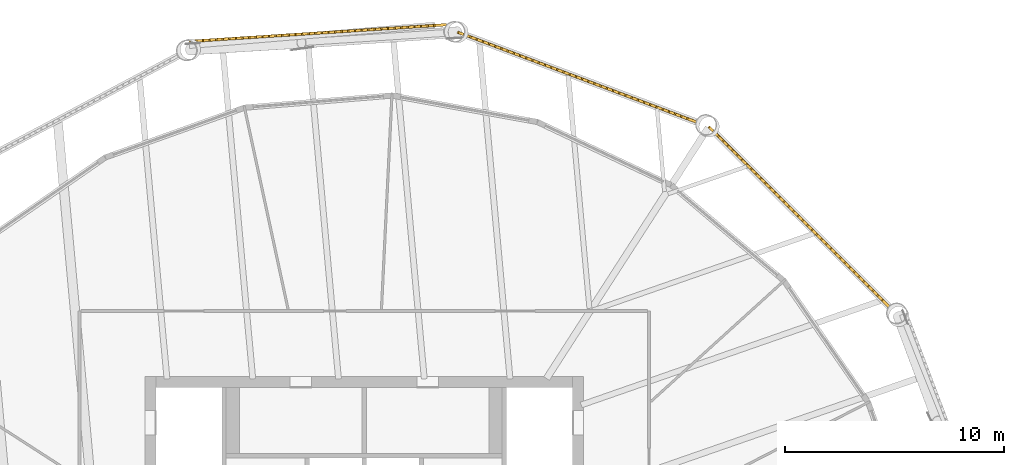
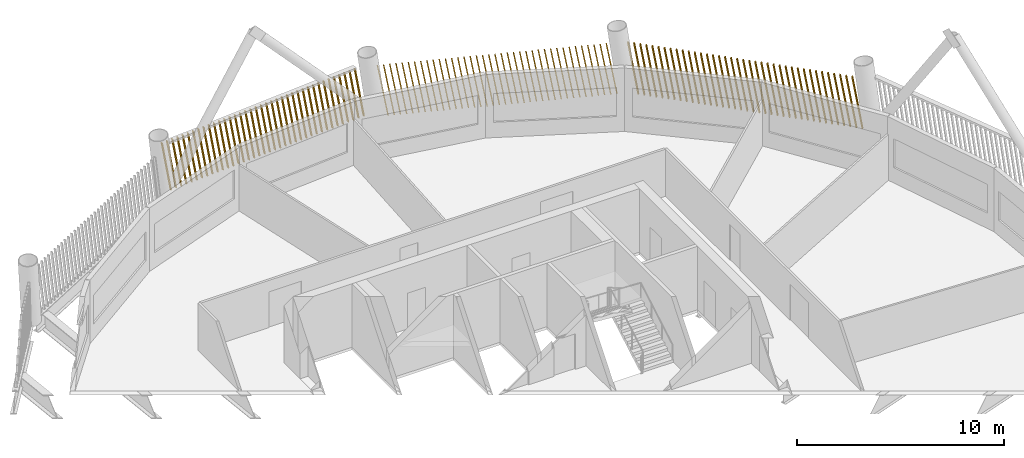
# One storey, part 22 of 23: 3 shading devices.
"""IFC4 building model written with IfcOpenShell, lengths in metres."""

from ifc_helpers import new_model, si_unit, direction, frame, frame_2d, origin, place, context, subcontext, project, spatial, rectangle, composite_profile, extrude, material, type_object, element, save


model = new_model("IFC4")

# Units and contexts
model_context = context("Model", 3, precision=1e-05, world=origin(), true_north=direction((0.0, 1.0)))
body_context = subcontext(model_context, "Body", "Model", "MODEL_VIEW")
ifc_project = project(units=[si_unit("LENGTHUNIT", "METRE"), si_unit("AREAUNIT", "SQUARE_METRE"), si_unit("VOLUMEUNIT", "CUBIC_METRE"), si_unit("PLANEANGLEUNIT", "RADIAN"), si_unit("MASSUNIT", "GRAM", prefix="KILO")], contexts=[model_context])

# Site, building, storey
site_placement = place(None, origin())
site = spatial("IfcSite", under=ifc_project, at=site_placement, CompositionType="ELEMENT")
building_placement = place(site_placement, origin())
building = spatial("IfcBuilding", under=site, at=building_placement, Name="Tarsis Ring Headquarters", CompositionType="ELEMENT")
storey_placement = place(building_placement, frame((0.0, 0.0, 308.0)))
storey = spatial("IfcBuildingStorey", under=building, at=storey_placement, Name="L72", CompositionType="ELEMENT", Elevation=308.0)

# Shading devices
ifc_material = material(Name="Terracotta baguette", Category="masonry")
shading_device_type = type_object("IfcShadingDeviceType", Name="Terracotta baguette screen", PredefinedType="USERDEFINED", material=ifc_material)
shading_device_1_placement = place(storey_placement, frame((24.047607421875, 16.11376953125, 0.0), z_axis=(0.0, 0.0, 1.0), x_axis=(-0.707470590789, 0.706754351695, 0.0)))
element("IfcShadingDevice", 1, at=shading_device_1_placement, inside=storey, type_object=shading_device_type, Name="Baguette screen L72-10", ObjectType="Terracotta baguette screen", PredefinedType="USERDEFINED", context=body_context, shape_type="SweptSolid", body=[
    extrude(composite_profile([rectangle(XDim=0.06005859375, YDim=0.1201171875, at=frame_2d((0.030029296875, 0.0))), rectangle(XDim=0.06005859375, YDim=0.1201171875, at=frame_2d((0.33251953125, 0.0))), rectangle(XDim=0.06005859375, YDim=0.1201171875, at=frame_2d((0.634765625, 0.0))), rectangle(XDim=0.06005859375, YDim=0.1201171875, at=frame_2d((0.937255859375, 0.0))), rectangle(XDim=0.06005859375, YDim=0.1201171875, at=frame_2d((1.239501953125, 0.0))), rectangle(XDim=0.06005859375, YDim=0.1201171875, at=frame_2d((1.5419921875, 0.0))), rectangle(XDim=0.06005859375, YDim=0.1201171875, at=frame_2d((1.844482421875, 0.0))), rectangle(XDim=0.06005859375, YDim=0.1201171875, at=frame_2d((2.146728515625, 0.0))), rectangle(XDim=0.06005859375, YDim=0.1201171875, at=frame_2d((2.44921875, 0.0))), rectangle(XDim=0.06005859375, YDim=0.1201171875, at=frame_2d((2.751708984375, 0.0))), rectangle(XDim=0.06005859375, YDim=0.1201171875, at=frame_2d((3.053955078125, 0.0))), rectangle(XDim=0.06005859375, YDim=0.1201171875, at=frame_2d((3.3564453125, 0.0))), rectangle(XDim=0.06005859375, YDim=0.1201171875, at=frame_2d((3.65869140625, 0.0))), rectangle(XDim=0.06005859375, YDim=0.1201171875, at=frame_2d((3.961181640625, 0.0))), rectangle(XDim=0.06005859375, YDim=0.1201171875, at=frame_2d((4.263671875, 0.0))), rectangle(XDim=0.06005859375, YDim=0.1201171875, at=frame_2d((4.56591796875, 0.0))), rectangle(XDim=0.06005859375, YDim=0.1201171875, at=frame_2d((4.868408203125, 0.0))), rectangle(XDim=0.06005859375, YDim=0.1201171875, at=frame_2d((5.1708984375, 0.0))), rectangle(XDim=0.06005859375, YDim=0.1201171875, at=frame_2d((5.47314453125, 0.0))), rectangle(XDim=0.06005859375, YDim=0.1201171875, at=frame_2d((5.775634765625, 0.0))), rectangle(XDim=0.06005859375, YDim=0.1201171875, at=frame_2d((6.077880859375, 0.0))), rectangle(XDim=0.06005859375, YDim=0.1201171875, at=frame_2d((6.38037109375, 0.0))), rectangle(XDim=0.06005859375, YDim=0.1201171875, at=frame_2d((6.682861328125, 0.0))), rectangle(XDim=0.06005859375, YDim=0.1201171875, at=frame_2d((6.985107421875, 0.0))), rectangle(XDim=0.06005859375, YDim=0.1201171875, at=frame_2d((7.28759765625, 0.0))), rectangle(XDim=0.06005859375, YDim=0.1201171875, at=frame_2d((7.590087890625, 0.0))), rectangle(XDim=0.06005859375, YDim=0.1201171875, at=frame_2d((7.892333984375, 0.0))), rectangle(XDim=0.06005859375, YDim=0.1201171875, at=frame_2d((8.19482421875, 0.0))), rectangle(XDim=0.06005859375, YDim=0.1201171875, at=frame_2d((8.4970703125, 0.0))), rectangle(XDim=0.06005859375, YDim=0.1201171875, at=frame_2d((8.799560546875, 0.0))), rectangle(XDim=0.06005859375, YDim=0.1201171875, at=frame_2d((9.10205078125, 0.0))), rectangle(XDim=0.06005859375, YDim=0.1201171875, at=frame_2d((9.404296875, 0.0))), rectangle(XDim=0.06005859375, YDim=0.1201171875, at=frame_2d((9.706787109375, 0.0))), rectangle(XDim=0.06005859375, YDim=0.1201171875, at=frame_2d((10.00927734375, 0.0))), rectangle(XDim=0.06005859375, YDim=0.1201171875, at=frame_2d((10.3115234375, 0.0))), rectangle(XDim=0.06005859375, YDim=0.1201171875, at=frame_2d((10.614013671875, 0.0))), rectangle(XDim=0.06005859375, YDim=0.1201171875, at=frame_2d((10.916259765625, 0.0))), rectangle(XDim=0.06005859375, YDim=0.1201171875, at=frame_2d((11.21875, 0.0)))]), origin(), (0.171102620229, 0.001552132672, 0.985251990221), 3.01220703125),
])
shading_device_2_placement = place(storey_placement, frame((15.267822265625, 24.59326171875, 0.0), z_axis=(0.0, 0.0, 1.0), x_axis=(-0.935887140532, 0.352316874661, 0.0)))
element("IfcShadingDevice", 2, at=shading_device_2_placement, inside=storey, type_object=shading_device_type, Name="Baguette screen L72-11", ObjectType="Terracotta baguette screen", PredefinedType="USERDEFINED", context=body_context, shape_type="SweptSolid", body=[
    extrude(composite_profile([rectangle(XDim=0.06005859375, YDim=0.1201171875, at=frame_2d((0.030029296875, 0.0))), rectangle(XDim=0.06005859375, YDim=0.1201171875, at=frame_2d((0.33251953125, 0.0))), rectangle(XDim=0.06005859375, YDim=0.1201171875, at=frame_2d((0.634765625, 0.0))), rectangle(XDim=0.06005859375, YDim=0.1201171875, at=frame_2d((0.937255859375, 0.0))), rectangle(XDim=0.06005859375, YDim=0.1201171875, at=frame_2d((1.239501953125, 0.0))), rectangle(XDim=0.06005859375, YDim=0.1201171875, at=frame_2d((1.5419921875, 0.0))), rectangle(XDim=0.06005859375, YDim=0.1201171875, at=frame_2d((1.844482421875, 0.0))), rectangle(XDim=0.06005859375, YDim=0.1201171875, at=frame_2d((2.146728515625, 0.0))), rectangle(XDim=0.06005859375, YDim=0.1201171875, at=frame_2d((2.44921875, 0.0))), rectangle(XDim=0.06005859375, YDim=0.1201171875, at=frame_2d((2.751708984375, 0.0))), rectangle(XDim=0.06005859375, YDim=0.1201171875, at=frame_2d((3.053955078125, 0.0))), rectangle(XDim=0.06005859375, YDim=0.1201171875, at=frame_2d((3.3564453125, 0.0))), rectangle(XDim=0.06005859375, YDim=0.1201171875, at=frame_2d((3.65869140625, 0.0))), rectangle(XDim=0.06005859375, YDim=0.1201171875, at=frame_2d((3.961181640625, 0.0))), rectangle(XDim=0.06005859375, YDim=0.1201171875, at=frame_2d((4.263671875, 0.0))), rectangle(XDim=0.06005859375, YDim=0.1201171875, at=frame_2d((4.56591796875, 0.0))), rectangle(XDim=0.06005859375, YDim=0.1201171875, at=frame_2d((4.868408203125, 0.0))), rectangle(XDim=0.06005859375, YDim=0.1201171875, at=frame_2d((5.1708984375, 0.0))), rectangle(XDim=0.06005859375, YDim=0.1201171875, at=frame_2d((5.47314453125, 0.0))), rectangle(XDim=0.06005859375, YDim=0.1201171875, at=frame_2d((5.775634765625, 0.0))), rectangle(XDim=0.06005859375, YDim=0.1201171875, at=frame_2d((6.077880859375, 0.0))), rectangle(XDim=0.06005859375, YDim=0.1201171875, at=frame_2d((6.38037109375, 0.0))), rectangle(XDim=0.06005859375, YDim=0.1201171875, at=frame_2d((6.682861328125, 0.0))), rectangle(XDim=0.06005859375, YDim=0.1201171875, at=frame_2d((6.985107421875, 0.0))), rectangle(XDim=0.06005859375, YDim=0.1201171875, at=frame_2d((7.28759765625, 0.0))), rectangle(XDim=0.06005859375, YDim=0.1201171875, at=frame_2d((7.590087890625, 0.0))), rectangle(XDim=0.06005859375, YDim=0.1201171875, at=frame_2d((7.892333984375, 0.0))), rectangle(XDim=0.06005859375, YDim=0.1201171875, at=frame_2d((8.19482421875, 0.0))), rectangle(XDim=0.06005859375, YDim=0.1201171875, at=frame_2d((8.4970703125, 0.0))), rectangle(XDim=0.06005859375, YDim=0.1201171875, at=frame_2d((8.799560546875, 0.0))), rectangle(XDim=0.06005859375, YDim=0.1201171875, at=frame_2d((9.10205078125, 0.0))), rectangle(XDim=0.06005859375, YDim=0.1201171875, at=frame_2d((9.404296875, 0.0))), rectangle(XDim=0.06005859375, YDim=0.1201171875, at=frame_2d((9.706787109375, 0.0))), rectangle(XDim=0.06005859375, YDim=0.1201171875, at=frame_2d((10.00927734375, 0.0))), rectangle(XDim=0.06005859375, YDim=0.1201171875, at=frame_2d((10.3115234375, 0.0))), rectangle(XDim=0.06005859375, YDim=0.1201171875, at=frame_2d((10.614013671875, 0.0))), rectangle(XDim=0.06005859375, YDim=0.1201171875, at=frame_2d((10.916259765625, 0.0))), rectangle(XDim=0.06005859375, YDim=0.1201171875, at=frame_2d((11.21875, 0.0)))]), origin(), (0.171102442905, 0.001553700411, 0.985252018545), 3.01220703125),
])
shading_device_3_placement = place(storey_placement, frame((3.7490234375, 29.074462890625, 0.0), z_axis=(0.0, 0.0, 1.0), x_axis=(-0.997894736842, -0.064763971785, 0.0)))
element("IfcShadingDevice", 3, at=shading_device_3_placement, inside=storey, type_object=shading_device_type, Name="Baguette screen L72-12", ObjectType="Terracotta baguette screen", PredefinedType="USERDEFINED", context=body_context, shape_type="SweptSolid", body=[
    extrude(composite_profile([rectangle(XDim=0.06005859375, YDim=0.1201171875, at=frame_2d((0.030029296875, 0.0))), rectangle(XDim=0.06005859375, YDim=0.1201171875, at=frame_2d((0.33251953125, 0.0))), rectangle(XDim=0.06005859375, YDim=0.1201171875, at=frame_2d((0.634765625, 0.0))), rectangle(XDim=0.06005859375, YDim=0.1201171875, at=frame_2d((0.937255859375, 0.0))), rectangle(XDim=0.06005859375, YDim=0.1201171875, at=frame_2d((1.239501953125, 0.0))), rectangle(XDim=0.06005859375, YDim=0.1201171875, at=frame_2d((1.5419921875, 0.0))), rectangle(XDim=0.06005859375, YDim=0.1201171875, at=frame_2d((1.844482421875, 0.0))), rectangle(XDim=0.06005859375, YDim=0.1201171875, at=frame_2d((2.146728515625, 0.0))), rectangle(XDim=0.06005859375, YDim=0.1201171875, at=frame_2d((2.44921875, 0.0))), rectangle(XDim=0.06005859375, YDim=0.1201171875, at=frame_2d((2.751708984375, 0.0))), rectangle(XDim=0.06005859375, YDim=0.1201171875, at=frame_2d((3.053955078125, 0.0))), rectangle(XDim=0.06005859375, YDim=0.1201171875, at=frame_2d((3.3564453125, 0.0))), rectangle(XDim=0.06005859375, YDim=0.1201171875, at=frame_2d((3.65869140625, 0.0))), rectangle(XDim=0.06005859375, YDim=0.1201171875, at=frame_2d((3.961181640625, 0.0))), rectangle(XDim=0.06005859375, YDim=0.1201171875, at=frame_2d((4.263671875, 0.0))), rectangle(XDim=0.06005859375, YDim=0.1201171875, at=frame_2d((4.56591796875, 0.0))), rectangle(XDim=0.06005859375, YDim=0.1201171875, at=frame_2d((4.868408203125, 0.0))), rectangle(XDim=0.06005859375, YDim=0.1201171875, at=frame_2d((5.1708984375, 0.0))), rectangle(XDim=0.06005859375, YDim=0.1201171875, at=frame_2d((5.47314453125, 0.0))), rectangle(XDim=0.06005859375, YDim=0.1201171875, at=frame_2d((5.775634765625, 0.0))), rectangle(XDim=0.06005859375, YDim=0.1201171875, at=frame_2d((6.077880859375, 0.0))), rectangle(XDim=0.06005859375, YDim=0.1201171875, at=frame_2d((6.38037109375, 0.0))), rectangle(XDim=0.06005859375, YDim=0.1201171875, at=frame_2d((6.682861328125, 0.0))), rectangle(XDim=0.06005859375, YDim=0.1201171875, at=frame_2d((6.985107421875, 0.0))), rectangle(XDim=0.06005859375, YDim=0.1201171875, at=frame_2d((7.28759765625, 0.0))), rectangle(XDim=0.06005859375, YDim=0.1201171875, at=frame_2d((7.590087890625, 0.0))), rectangle(XDim=0.06005859375, YDim=0.1201171875, at=frame_2d((7.892333984375, 0.0))), rectangle(XDim=0.06005859375, YDim=0.1201171875, at=frame_2d((8.19482421875, 0.0))), rectangle(XDim=0.06005859375, YDim=0.1201171875, at=frame_2d((8.4970703125, 0.0))), rectangle(XDim=0.06005859375, YDim=0.1201171875, at=frame_2d((8.799560546875, 0.0))), rectangle(XDim=0.06005859375, YDim=0.1201171875, at=frame_2d((9.10205078125, 0.0))), rectangle(XDim=0.06005859375, YDim=0.1201171875, at=frame_2d((9.404296875, 0.0))), rectangle(XDim=0.06005859375, YDim=0.1201171875, at=frame_2d((9.706787109375, 0.0))), rectangle(XDim=0.06005859375, YDim=0.1201171875, at=frame_2d((10.00927734375, 0.0))), rectangle(XDim=0.06005859375, YDim=0.1201171875, at=frame_2d((10.3115234375, 0.0))), rectangle(XDim=0.06005859375, YDim=0.1201171875, at=frame_2d((10.614013671875, 0.0))), rectangle(XDim=0.06005859375, YDim=0.1201171875, at=frame_2d((10.916259765625, 0.0))), rectangle(XDim=0.06005859375, YDim=0.1201171875, at=frame_2d((11.21875, 0.0)))]), origin(), (0.17329292254, 0.001574013632, 0.984869070221), 3.013427734375),
])

save(model, "model.ifc")
